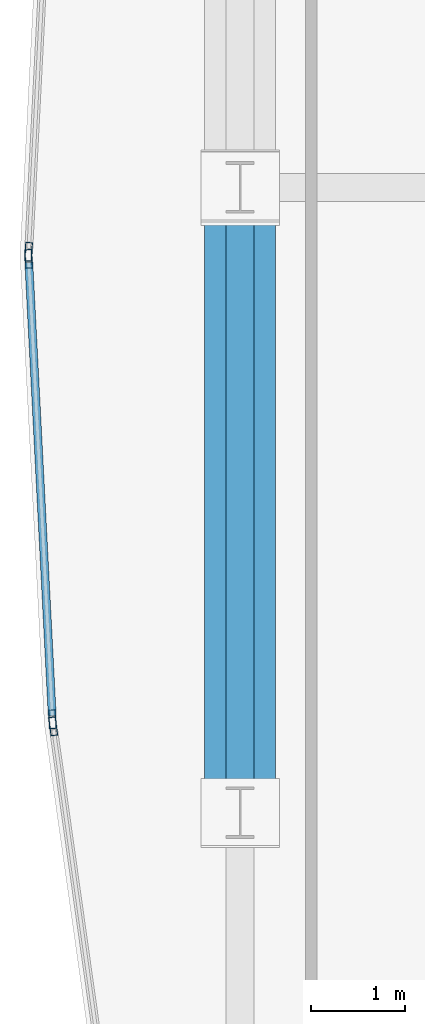
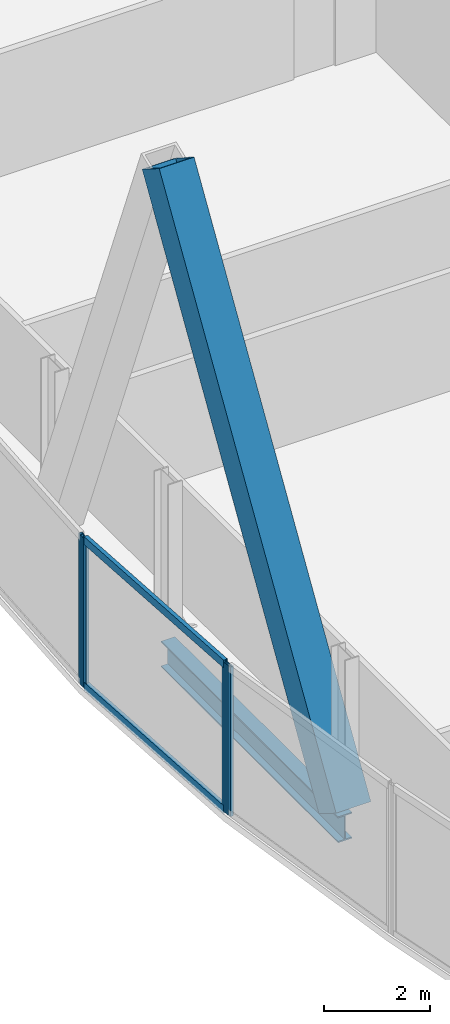
# One storey, part 10 of 33: 7 members, 1 beam, 3 elements without a shape of their own.
"""IFC4 building model written with IfcOpenShell, lengths in metres."""

from ifc_helpers import new_model, si_unit, direction, frame, origin, origin_2d, place, context, subcontext, project, spatial, hollow_rectangle, i_section, extrude, material, material_profile, profile_set, type_object, element, aggregate, save


model = new_model("IFC4")

# Units and contexts
model_context = context("Model", 3, precision=1e-05, world=origin(), true_north=direction((0.0, 1.0)))
body_context = subcontext(model_context, "Body", "Model", "MODEL_VIEW")
ifc_project = project(units=[si_unit("LENGTHUNIT", "METRE"), si_unit("AREAUNIT", "SQUARE_METRE"), si_unit("VOLUMEUNIT", "CUBIC_METRE"), si_unit("PLANEANGLEUNIT", "RADIAN"), si_unit("MASSUNIT", "GRAM", prefix="KILO")], contexts=[model_context])

# Site, building, storey
site_placement = place(None, origin())
site = spatial("IfcSite", under=ifc_project, at=site_placement, CompositionType="ELEMENT")
building_placement = place(site_placement, origin())
building = spatial("IfcBuilding", under=site, at=building_placement, Name="Khoronbel Lancet Exchange", CompositionType="ELEMENT")
storey_placement = place(building_placement, frame((0.0, 0.0, 118.199951171875)))
storey = spatial("IfcBuildingStorey", under=building, at=storey_placement, Name="L28", CompositionType="ELEMENT", Elevation=118.199951171875)

# Beam
ifc_material_1 = material(Name="Steel S355", Category="steel")
ifc_material_profile_1 = material_profile(ifc_material_1, i_section(OverallWidth=0.300048828125, OverallDepth=0.60009765625, WebThickness=0.015380859375, FlangeThickness=0.030029296875, at=origin_2d()), Name="HEB 600")
ifc_profile_set_1 = profile_set([ifc_material_profile_1], Name="Steel S355")
beam_type = type_object("IfcBeamType", Name="BM-BSP2", PredefinedType="SPANDREL", material=ifc_profile_set_1)
beam_placement = place(storey_placement, frame((3.27001953125, 31.425048828125, -0.4599609375), z_axis=(0.0, -1.0, 0.0), x_axis=(1.0, 0.0, 0.0)))
element("IfcBeam", 1, at=beam_placement, inside=storey, type_object=beam_type, Name="Level L28 perimeter spandrel beam SP19", PredefinedType="SPANDREL", context=body_context, shape_type="SweptSolid", body=[
    extrude(i_section(OverallWidth=0.300048828125, OverallDepth=0.60009765625, WebThickness=0.015380859375, FlangeThickness=0.030029296875, at=origin_2d()), origin(), (0.0, 0.0, 1.0), 6.675048828125),
])

# Curtain wall, member
ifc_material_2 = material(Name="Low-E Solar Control Insulating Glass", Category="glass")
curtain_wall_type = type_object("IfcCurtainWallType", Name="CW-4", PredefinedType="NOTDEFINED", material=ifc_material_2)
curtain_wall_1_placement = place(storey_placement, origin())
curtain_wall_1 = element("IfcCurtainWall", 2, at=curtain_wall_1_placement, inside=storey, type_object=curtain_wall_type, Name="Unitised curtain wall CW-L28-E05", PredefinedType="NOTDEFINED")
ifc_material_3 = material(Name="Bronze-Anodised Aluminium 6063-T6", Category="aluminium")
ifc_material_profile_2 = material_profile(ifc_material_3, hollow_rectangle(XDim=0.074951171875, YDim=0.199951171875, WallThickness=0.0048828125, at=origin_2d()), Name="ALU MULLION 75x200")
ifc_profile_set_2 = profile_set([ifc_material_profile_2], Name="Bronze-Anodised Aluminium 6063-T6")
member_type_1 = type_object("IfcMemberType", Name="MEM-CWM2", PredefinedType="MULLION", material=ifc_profile_set_2)
member_1_placement = place(storey_placement, frame((1.273193359375, 25.67138671875, 0.0), z_axis=(0.0, 0.0, 1.0), x_axis=(-0.990162106971, -0.139924986756, 0.0)))
member_1 = element("IfcMember", 3, at=member_1_placement, type_object=member_type_1, Name="CW4 mullion 2", PredefinedType="MULLION", context=body_context, shape_type="SweptSolid", body=[
    extrude(hollow_rectangle(XDim=0.074951171875, YDim=0.199951171875, WallThickness=0.0048828125, at=origin_2d()), origin(), (0.0, 0.0, 1.0), 3.43994140625),
])
aggregate(curtain_wall_1, [member_1])

# Curtain wall, members
curtain_wall_2_placement = place(storey_placement, origin())
curtain_wall_2 = element("IfcCurtainWall", 4, at=curtain_wall_2_placement, inside=storey, type_object=curtain_wall_type, Name="Unitised curtain wall CW-L28-E06", PredefinedType="NOTDEFINED")
member_2_placement = place(storey_placement, frame((1.265869140625, 25.74609375, 0.0), z_axis=(0.0, 0.0, 1.0), x_axis=(-0.998664735798, -0.051659901994, 0.0)))
member_2 = element("IfcMember", 5, at=member_2_placement, type_object=member_type_1, Name="CW4 mullion 1", PredefinedType="MULLION", context=body_context, shape_type="SweptSolid", body=[
    extrude(hollow_rectangle(XDim=0.074951171875, YDim=0.199951171875, WallThickness=0.0048828125, at=origin_2d()), origin(), (0.0, 0.0, 1.0), 3.43994140625),
])
member_3_placement = place(storey_placement, frame((1.01171875, 30.66259765625, 0.0), z_axis=(0.0, 0.0, 1.0), x_axis=(-0.998664735798, -0.051659901994, 0.0)))
member_3 = element("IfcMember", 6, at=member_3_placement, type_object=member_type_1, Name="CW4 mullion 2", PredefinedType="MULLION", context=body_context, shape_type="SweptSolid", body=[
    extrude(hollow_rectangle(XDim=0.074951171875, YDim=0.199951171875, WallThickness=0.0048828125, at=origin_2d()), origin(), (0.0, 0.0, 1.0), 3.43994140625),
])

# Curtain wall, member
curtain_wall_3_placement = place(storey_placement, origin())
curtain_wall_3 = element("IfcCurtainWall", 7, at=curtain_wall_3_placement, inside=storey, type_object=curtain_wall_type, Name="Unitised curtain wall CW-L28-E07", PredefinedType="NOTDEFINED")
member_4_placement = place(storey_placement, frame((1.01171875, 30.737548828125, 0.0), z_axis=(0.0, 0.0, 1.0), x_axis=(-0.998664735798, 0.051659901994, 0.0)))
member_4 = element("IfcMember", 8, at=member_4_placement, type_object=member_type_1, Name="CW4 mullion 1", PredefinedType="MULLION", context=body_context, shape_type="SweptSolid", body=[
    extrude(hollow_rectangle(XDim=0.074951171875, YDim=0.199951171875, WallThickness=0.0048828125, at=origin_2d()), origin(), (0.0, 0.0, 1.0), 3.43994140625),
])
aggregate(curtain_wall_3, [member_4])

# Member
ifc_material_profile_3 = material_profile(ifc_material_3, hollow_rectangle(XDim=0.0849609375, YDim=0.179931640625, WallThickness=0.0048828125, at=origin_2d()), Name="ALU TRANSOM 85x180")
ifc_profile_set_3 = profile_set([ifc_material_profile_3], Name="Bronze-Anodised Aluminium 6063-T6")
member_type_2 = type_object("IfcMemberType", Name="MEM-CWT1", PredefinedType="USERDEFINED", material=ifc_profile_set_3)
member_5_placement = place(storey_placement, frame((1.263916015625, 25.783447265625, 0.04248046875), z_axis=(-0.051617849981, 0.998666910217, 0.0), x_axis=(-0.998666910217, -0.051617849981, 0.0)))
member_5 = element("IfcMember", 9, at=member_5_placement, type_object=member_type_2, Name="CW4 transom 1.1", ObjectType="TRANSOM", PredefinedType="USERDEFINED", context=body_context, shape_type="SweptSolid", body=[
    extrude(hollow_rectangle(XDim=0.0849609375, YDim=0.179931640625, WallThickness=0.0048828125, at=origin_2d()), origin(), (0.0, 0.0, 1.0), 4.847900390625),
])

member_6_placement = place(storey_placement, frame((1.263916015625, 25.783447265625, 3.3974609375), z_axis=(-0.051617849981, 0.998666910217, 0.0), x_axis=(-0.998666910217, -0.051617849981, 0.0)))
member_6 = element("IfcMember", 10, at=member_6_placement, type_object=member_type_2, Name="CW4 transom 1.2", ObjectType="TRANSOM", PredefinedType="USERDEFINED", context=body_context, shape_type="SweptSolid", body=[
    extrude(hollow_rectangle(XDim=0.0849609375, YDim=0.179931640625, WallThickness=0.0048828125, at=origin_2d()), origin(), (0.0, 0.0, 1.0), 4.847900390625),
])

aggregate(curtain_wall_2, [member_2, member_3, member_5, member_6])

ifc_material_4 = material(Name="Steel S460", Category="steel")
ifc_material_profile_4 = material_profile(ifc_material_4, hollow_rectangle(XDim=0.760009765625, YDim=0.760009765625, WallThickness=0.054931640625, at=origin_2d()), Name="BOX 760x760x55")
ifc_profile_set_4 = profile_set([ifc_material_profile_4], Name="Steel S460")
member_type_3 = type_object("IfcMemberType", Name="MEM-MB1", PredefinedType="BRACE", material=ifc_profile_set_4)
member_7_placement = place(storey_placement, frame((3.27001953125, 24.75, 0.0), z_axis=(0.0, 0.525745449971, 0.850641946906), x_axis=(-1.0, 0.0, 0.0)))
element("IfcMember", 11, at=member_7_placement, inside=storey, type_object=member_type_3, Name="Perimeter lancet brace tier 9 W-P-L", PredefinedType="BRACE", context=body_context, shape_type="SweptSolid", body=[
    extrude(hollow_rectangle(XDim=0.760009765625, YDim=0.760009765625, WallThickness=0.054931640625, at=origin_2d()), origin(), (0.0, 0.0, 1.0), 12.6962890625),
])

save(model, "model.ifc")
